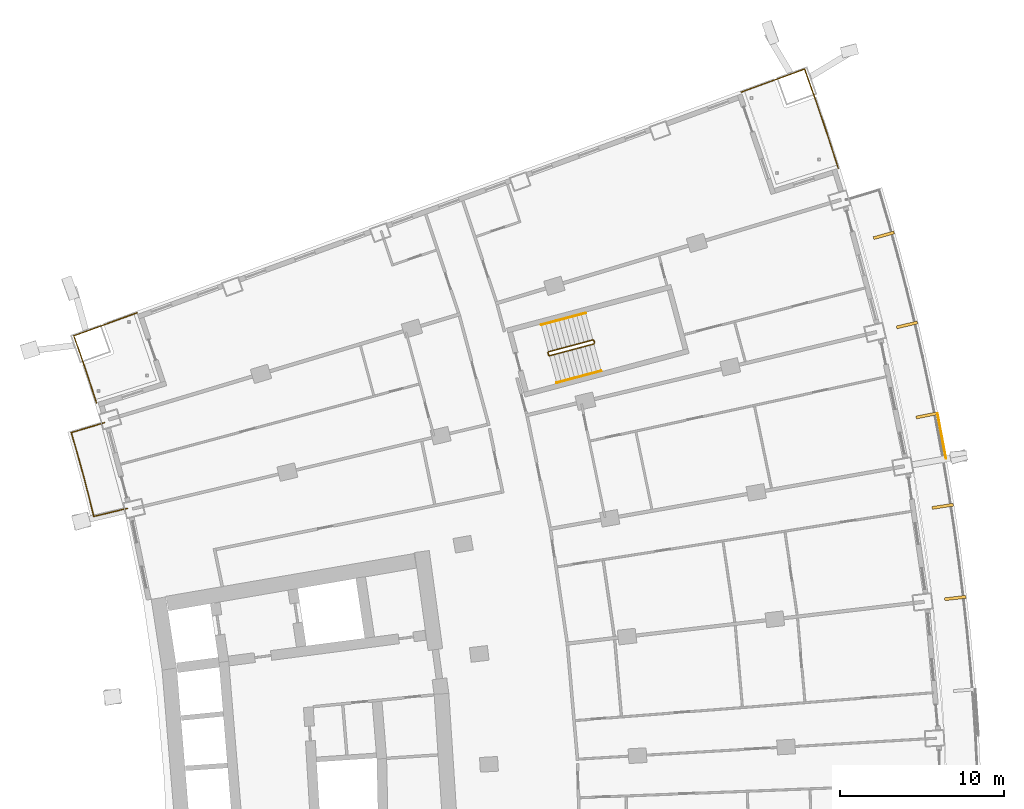
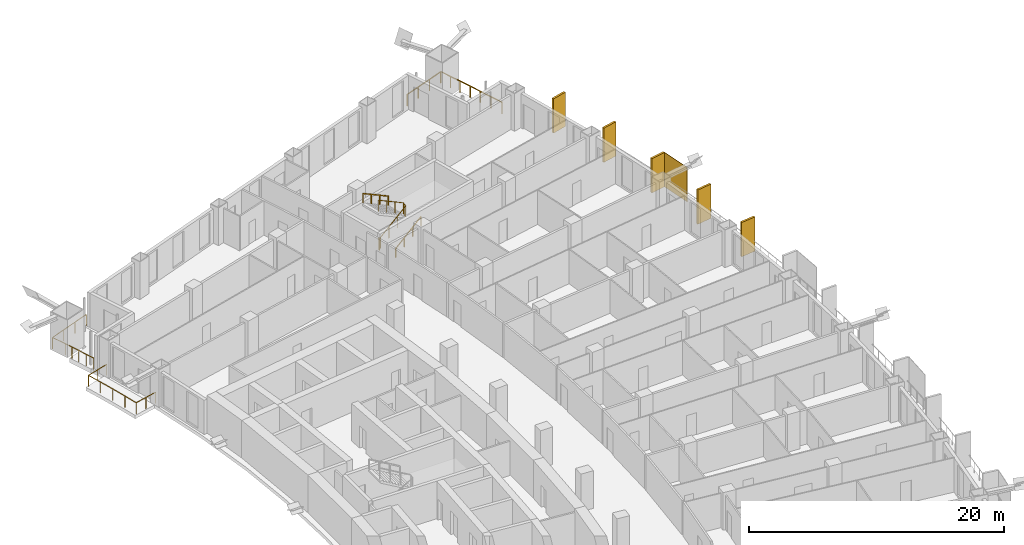
# One storey, part 22 of 22: 6 railings, 6 shading devices.
"""IFC4 building model written with IfcOpenShell, lengths in metres."""

from ifc_helpers import new_model, si_unit, direction, frame, origin, origin_2d, place, context, subcontext, project, spatial, rectangle, extrude, material, layer, layer_set, type_object, element, save


model = new_model("IFC4")

# Units and contexts
model_context = context("Model", 3, precision=1e-05, world=origin(), true_north=direction((0.0, 1.0)))
body_context = subcontext(model_context, "Body", "Model", "MODEL_VIEW")
ifc_project = project(units=[si_unit("LENGTHUNIT", "METRE"), si_unit("AREAUNIT", "SQUARE_METRE"), si_unit("VOLUMEUNIT", "CUBIC_METRE"), si_unit("PLANEANGLEUNIT", "RADIAN"), si_unit("MASSUNIT", "GRAM", prefix="KILO")], contexts=[model_context])

# Site, building, storey
site_placement = place(None, origin())
site = spatial("IfcSite", under=ifc_project, at=site_placement, CompositionType="ELEMENT")
building_placement = place(site_placement, origin())
building = spatial("IfcBuilding", under=site, at=building_placement, Name="Alderwake Tower", CompositionType="ELEMENT")
storey_placement = place(building_placement, frame((0.0, 0.0, 50.0)))
storey = spatial("IfcBuildingStorey", under=building, at=storey_placement, Name="L11", CompositionType="ELEMENT", Elevation=50.0)

# Railings
ifc_material_1 = material(Name="Stainless steel 316 rail and posts", Category="steel")
railing_type_1 = type_object("IfcRailingType", Name="Balcony guard 1100", PredefinedType="GUARDRAIL", material=ifc_material_1)
railing_1_placement = place(storey_placement, frame((13.5693359375, 83.343017578125, 0.0)))
element("IfcRailing", 1, at=railing_1_placement, inside=storey, type_object=railing_type_1, Name="Guard BR11", PredefinedType="GUARDRAIL", context=body_context, shape_type="SweptSolid", body=[
    extrude(rectangle(XDim=0.048095703125, YDim=0.048095703125, at=origin_2d()), frame((0.0, 0.0, 1.076171875), z_axis=(-0.972646310656, -0.232291098337, 0.0), x_axis=(0.232291098337, -0.972646310656, 0.0)), (0.0, 0.0, 1.0), 2.099853515625),
    extrude(rectangle(XDim=0.048095703125, YDim=0.048095703125, at=origin_2d()), frame((-2.04248046875, -0.48779296875, 1.076171875), z_axis=(-0.238877101641, 0.971049808358, 0.0), x_axis=(-0.971049808358, -0.238877101641, 0.0)), (0.0, 0.0, 1.0), 1.2724609375),
    extrude(rectangle(XDim=0.048095703125, YDim=0.048095703125, at=origin_2d()), frame((-2.346435546875, 0.747802734375, 1.076171875), z_axis=(-0.252487086228, 0.967600264204, 0.0), x_axis=(-0.967600264204, -0.252487086228, 0.0)), (0.0, 0.0, 1.0), 1.3720703125),
    extrude(rectangle(XDim=0.048095703125, YDim=0.048095703125, at=origin_2d()), frame((-2.69287109375, 2.075439453125, 1.076171875), z_axis=(-0.266487604617, 0.963838345671, 0.0), x_axis=(-0.963838345671, -0.266487604617, 0.0)), (0.0, 0.0, 1.0), 1.372314453125),
    extrude(rectangle(XDim=0.048095703125, YDim=0.048095703125, at=origin_2d()), frame((-3.05859375, 3.398193359375, 1.076171875), z_axis=(-0.279963157487, 0.960010744966, 0.0), x_axis=(-0.960010744966, -0.279963157487, 0.0)), (0.0, 0.0, 1.0), 1.272216796875),
    extrude(rectangle(XDim=0.048095703125, YDim=0.048095703125, at=origin_2d()), frame((-3.414794921875, 4.61962890625, 1.076171875), z_axis=(0.958091458885, 0.286462486918, 0.0), x_axis=(-0.286462486918, 0.958091458885, 0.0)), (0.0, 0.0, 1.0), 2.099853515625),
    extrude(rectangle(XDim=0.0419921875, YDim=0.0419921875, at=origin_2d()), frame((0.0, 0.0, 0.0), z_axis=(0.0, 0.0, 1.0), x_axis=(-0.972646310656, -0.232291098337, 0.0)), (0.0, 0.0, 1.0), 1.052001953125),
    extrude(rectangle(XDim=0.0419921875, YDim=0.0419921875, at=origin_2d()), frame((-1.021240234375, -0.243896484375, 0.0), z_axis=(0.0, 0.0, 1.0), x_axis=(-0.972646310656, -0.232291098337, 0.0)), (0.0, 0.0, 1.0), 1.052001953125),
    extrude(rectangle(XDim=0.0419921875, YDim=0.0419921875, at=origin_2d()), frame((-2.04248046875, -0.48779296875, 0.0), z_axis=(0.0, 0.0, 1.0), x_axis=(-0.238877101641, 0.971049808358, 0.0)), (0.0, 0.0, 1.0), 1.052001953125),
    extrude(rectangle(XDim=0.0419921875, YDim=0.0419921875, at=origin_2d()), frame((-2.346435546875, 0.747802734375, 0.0), z_axis=(0.0, 0.0, 1.0), x_axis=(-0.252487086228, 0.967600264204, 0.0)), (0.0, 0.0, 1.0), 1.052001953125),
    extrude(rectangle(XDim=0.0419921875, YDim=0.0419921875, at=origin_2d()), frame((-2.69287109375, 2.075439453125, 0.0), z_axis=(0.0, 0.0, 1.0), x_axis=(-0.266487604617, 0.963838345671, 0.0)), (0.0, 0.0, 1.0), 1.052001953125),
    extrude(rectangle(XDim=0.0419921875, YDim=0.0419921875, at=origin_2d()), frame((-3.05859375, 3.398193359375, 0.0), z_axis=(0.0, 0.0, 1.0), x_axis=(-0.279963157487, 0.960010744966, 0.0)), (0.0, 0.0, 1.0), 1.052001953125),
    extrude(rectangle(XDim=0.0419921875, YDim=0.0419921875, at=origin_2d()), frame((-3.414794921875, 4.61962890625, 0.0), z_axis=(0.0, 0.0, 1.0), x_axis=(0.958091458885, 0.286462486918, 0.0)), (0.0, 0.0, 1.0), 1.052001953125),
    extrude(rectangle(XDim=0.0419921875, YDim=0.0419921875, at=origin_2d()), frame((-2.40869140625, 4.92041015625, 0.0), z_axis=(0.0, 0.0, 1.0), x_axis=(0.958091458885, 0.286462486918, 0.0)), (0.0, 0.0, 1.0), 1.052001953125),
    extrude(rectangle(XDim=0.0419921875, YDim=0.0419921875, at=origin_2d()), frame((-1.40283203125, 5.22119140625, 0.0), z_axis=(0.0, 0.0, 1.0), x_axis=(0.958091458885, 0.286462486918, 0.0)), (0.0, 0.0, 1.0), 1.052001953125),
])
railing_2_placement = place(storey_placement, frame((56.88330078125, 104.072509765625, 0.0)))
element("IfcRailing", 2, at=railing_2_placement, inside=storey, type_object=railing_type_1, Name="Guard terrace FN", PredefinedType="GUARDRAIL", context=body_context, shape_type="SweptSolid", body=[
    extrude(rectangle(XDim=0.048095703125, YDim=0.048095703125, at=origin_2d()), frame((0.0, 0.0, 1.076171875), z_axis=(-0.307845801485, 0.951436262977, 0.0), x_axis=(-0.951436262977, -0.307845801485, 0.0)), (0.0, 0.0, 1.0), 2.292724609375),
    extrude(rectangle(XDim=0.048095703125, YDim=0.048095703125, at=origin_2d()), frame((-0.705810546875, 2.181396484375, 1.076171875), z_axis=(-0.322241552388, 0.946657478666, 0.0), x_axis=(-0.946657478666, -0.322241552388, 0.0)), (0.0, 0.0, 1.0), 2.092529296875),
    extrude(rectangle(XDim=0.048095703125, YDim=0.048095703125, at=origin_2d()), frame((-1.380126953125, 4.162353515625, 1.076171875), z_axis=(-0.335715388467, 0.941963469539, 0.0), x_axis=(-0.941963469539, -0.335715388467, 0.0)), (0.0, 0.0, 1.0), 1.99267578125),
    extrude(rectangle(XDim=0.048095703125, YDim=0.048095703125, at=origin_2d()), frame((-2.049072265625, 6.039306640625, 1.076171875), z_axis=(-0.939624669849, -0.342206779317, 0.0), x_axis=(0.342206779317, -0.939624669849, 0.0)), (0.0, 0.0, 1.0), 4.10009765625),
    extrude(rectangle(XDim=0.0419921875, YDim=0.0419921875, at=origin_2d()), frame((0.0, 0.0, 0.0), z_axis=(0.0, 0.0, 1.0), x_axis=(-0.307845801485, 0.951436262977, 0.0)), (0.0, 0.0, 1.0), 1.052001953125),
    extrude(rectangle(XDim=0.0419921875, YDim=0.0419921875, at=origin_2d()), frame((-0.35302734375, 1.0908203125, 0.0), z_axis=(0.0, 0.0, 1.0), x_axis=(-0.307845801485, 0.951436262977, 0.0)), (0.0, 0.0, 1.0), 1.052001953125),
    extrude(rectangle(XDim=0.0419921875, YDim=0.0419921875, at=origin_2d()), frame((-0.705810546875, 2.181396484375, 0.0), z_axis=(0.0, 0.0, 1.0), x_axis=(-0.322241552388, 0.946657478666, 0.0)), (0.0, 0.0, 1.0), 1.052001953125),
    extrude(rectangle(XDim=0.0419921875, YDim=0.0419921875, at=origin_2d()), frame((-1.04296875, 3.171875, 0.0), z_axis=(0.0, 0.0, 1.0), x_axis=(-0.322241552388, 0.946657478666, 0.0)), (0.0, 0.0, 1.0), 1.052001953125),
    extrude(rectangle(XDim=0.0419921875, YDim=0.0419921875, at=origin_2d()), frame((-1.380126953125, 4.162353515625, 0.0), z_axis=(0.0, 0.0, 1.0), x_axis=(-0.335715388467, 0.941963469539, 0.0)), (0.0, 0.0, 1.0), 1.052001953125),
    extrude(rectangle(XDim=0.0419921875, YDim=0.0419921875, at=origin_2d()), frame((-1.714599609375, 5.100830078125, 0.0), z_axis=(0.0, 0.0, 1.0), x_axis=(-0.335715388467, 0.941963469539, 0.0)), (0.0, 0.0, 1.0), 1.052001953125),
    extrude(rectangle(XDim=0.0419921875, YDim=0.0419921875, at=origin_2d()), frame((-2.049072265625, 6.039306640625, 0.0), z_axis=(0.0, 0.0, 1.0), x_axis=(-0.939624669849, -0.342206779317, 0.0)), (0.0, 0.0, 1.0), 1.052001953125),
    extrude(rectangle(XDim=0.0419921875, YDim=0.0419921875, at=origin_2d()), frame((-3.333251953125, 5.571533203125, 0.0), z_axis=(0.0, 0.0, 1.0), x_axis=(-0.939624669849, -0.342206779317, 0.0)), (0.0, 0.0, 1.0), 1.052001953125),
    extrude(rectangle(XDim=0.0419921875, YDim=0.0419921875, at=origin_2d()), frame((-4.617431640625, 5.10400390625, 0.0), z_axis=(0.0, 0.0, 1.0), x_axis=(-0.939624669849, -0.342206779317, 0.0)), (0.0, 0.0, 1.0), 1.052001953125),
    extrude(rectangle(XDim=0.0419921875, YDim=0.0419921875, at=origin_2d()), frame((-5.901611328125, 4.63623046875, 0.0), z_axis=(0.0, 0.0, 1.0), x_axis=(-0.939624669849, -0.342206779317, 0.0)), (0.0, 0.0, 1.0), 1.052001953125),
])
railing_3_placement = place(storey_placement, frame((11.688720703125, 89.781982421875, 0.0)))
element("IfcRailing", 3, at=railing_3_placement, inside=storey, type_object=railing_type_1, Name="Guard terrace RN", PredefinedType="GUARDRAIL", context=body_context, shape_type="SweptSolid", body=[
    extrude(rectangle(XDim=0.048095703125, YDim=0.048095703125, at=origin_2d()), frame((0.0, 0.0, 1.076171875), z_axis=(-0.307479326145, 0.951554761426, 0.0), x_axis=(-0.951554761426, -0.307479326145, 0.0)), (0.0, 0.0, 1.0), 1.6015625),
    extrude(rectangle(XDim=0.048095703125, YDim=0.048095703125, at=origin_2d()), frame((-0.492431640625, 1.52392578125, 1.076171875), z_axis=(-0.322283727344, 0.946643121292, 0.0), x_axis=(-0.946643121292, -0.322283727344, 0.0)), (0.0, 0.0, 1.0), 1.4013671875),
    extrude(rectangle(XDim=0.048095703125, YDim=0.048095703125, at=origin_2d()), frame((-0.944091796875, 2.8505859375, 1.076171875), z_axis=(-0.335468607403, 0.942051385778, 0.0), x_axis=(-0.942051385778, -0.335468607403, 0.0)), (0.0, 0.0, 1.0), 1.30126953125),
    extrude(rectangle(XDim=0.048095703125, YDim=0.048095703125, at=origin_2d()), frame((-1.380615234375, 4.076416015625, 1.076171875), z_axis=(0.939708203232, 0.341977327873, 0.0), x_axis=(-0.341977327873, 0.939708203232, 0.0)), (0.0, 0.0, 1.0), 4.10009765625),
    extrude(rectangle(XDim=0.0419921875, YDim=0.0419921875, at=origin_2d()), frame((0.0, 0.0, 0.0), z_axis=(0.0, 0.0, 1.0), x_axis=(-0.307479326145, 0.951554761426, 0.0)), (0.0, 0.0, 1.0), 1.052001953125),
    extrude(rectangle(XDim=0.0419921875, YDim=0.0419921875, at=origin_2d()), frame((-0.24609375, 0.761962890625, 0.0), z_axis=(0.0, 0.0, 1.0), x_axis=(-0.307479326145, 0.951554761426, 0.0)), (0.0, 0.0, 1.0), 1.052001953125),
    extrude(rectangle(XDim=0.0419921875, YDim=0.0419921875, at=origin_2d()), frame((-0.492431640625, 1.52392578125, 0.0), z_axis=(0.0, 0.0, 1.0), x_axis=(-0.322283727344, 0.946643121292, 0.0)), (0.0, 0.0, 1.0), 1.052001953125),
    extrude(rectangle(XDim=0.0419921875, YDim=0.0419921875, at=origin_2d()), frame((-0.71826171875, 2.187255859375, 0.0), z_axis=(0.0, 0.0, 1.0), x_axis=(-0.322283727344, 0.946643121292, 0.0)), (0.0, 0.0, 1.0), 1.052001953125),
    extrude(rectangle(XDim=0.0419921875, YDim=0.0419921875, at=origin_2d()), frame((-0.944091796875, 2.8505859375, 0.0), z_axis=(0.0, 0.0, 1.0), x_axis=(-0.335468607403, 0.942051385778, 0.0)), (0.0, 0.0, 1.0), 1.052001953125),
    extrude(rectangle(XDim=0.0419921875, YDim=0.0419921875, at=origin_2d()), frame((-1.380615234375, 4.076416015625, 0.0), z_axis=(0.0, 0.0, 1.0), x_axis=(0.939708203232, 0.341977327873, 0.0)), (0.0, 0.0, 1.0), 1.052001953125),
    extrude(rectangle(XDim=0.0419921875, YDim=0.0419921875, at=origin_2d()), frame((-0.096435546875, 4.543701171875, 0.0), z_axis=(0.0, 0.0, 1.0), x_axis=(0.939708203232, 0.341977327873, 0.0)), (0.0, 0.0, 1.0), 1.052001953125),
    extrude(rectangle(XDim=0.0419921875, YDim=0.0419921875, at=origin_2d()), frame((1.18798828125, 5.01123046875, 0.0), z_axis=(0.0, 0.0, 1.0), x_axis=(0.939708203232, 0.341977327873, 0.0)), (0.0, 0.0, 1.0), 1.052001953125),
    extrude(rectangle(XDim=0.0419921875, YDim=0.0419921875, at=origin_2d()), frame((2.47216796875, 5.478515625, 0.0), z_axis=(0.0, 0.0, 1.0), x_axis=(0.939708203232, 0.341977327873, 0.0)), (0.0, 0.0, 1.0), 1.052001953125),
])

# Shading devices
ifc_material_2 = material(Name="Bronze anodised aluminium", Category="aluminium")
ifc_layer_1 = layer(ifc_material_2, 0.179931640625)
ifc_layer_set_1 = layer_set([ifc_layer_1], Name="Facade fin 1300")
shading_device_type_1 = type_object("IfcShadingDeviceType", Name="Facade fin 1300", PredefinedType="USERDEFINED", material=ifc_layer_set_1)
for number, where, z_axis, x_axis, name in (
    (4, (64.013916015625, 77.883056640625, 0.0), (0.0, 0.0, 1.0), (0.993198315083, 0.116434990084, 0.0), "Fin"),
    (5, (63.248291015625, 83.47119140625, 0.0), (0.0, 0.0, 1.0), (0.987918787879, 0.154972476771, 0.0), "Fin"),
    (6, (62.268798828125, 89.0107421875, 0.0), (0.0, 0.0, 1.0), (0.981163751315, 0.193177879441, 0.0), "Fin"),
    (7, (61.07177734375, 94.5224609375, 0.0), (0.0, 0.0, 1.0), (0.972908790564, 0.231189284448, 0.0), "Fin"),
    (8, (59.661376953125, 99.9833984375, 0.0), (0.0, 0.0, 1.0), (0.96318180783, 0.268850897459, 0.0), "Fin"),
):
    element("IfcShadingDevice", number, at=place(storey_placement, frame(where, z_axis=z_axis, x_axis=x_axis)), inside=storey, type_object=shading_device_type_1, Name=name, ObjectType="FIN", PredefinedType="USERDEFINED", context=body_context, shape_type="SweptSolid", body=[
        extrude(rectangle(XDim=1.300048828125, YDim=0.179931640625, at=origin_2d()), origin(), (0.0, 0.0, 1.0), 3.280029296875),
    ])
ifc_material_3 = material(Name="Perforated bronze anodised aluminium", Category="aluminium")
ifc_layer_2 = layer(ifc_material_3, 0.050048828125)
ifc_layer_set_2 = layer_set([ifc_layer_2], Name="Perforated screen panel")
shading_device_type_2 = type_object("IfcShadingDeviceType", Name="Perforated screen panel", PredefinedType="USERDEFINED", material=ifc_layer_set_2)
shading_device_placement = place(storey_placement, frame((63.1904296875, 87.752197265625, 0.0), z_axis=(0.0, 0.0, 1.0), x_axis=(0.982991488043, 0.183651121519, 0.0)))
element("IfcShadingDevice", 9, at=shading_device_placement, inside=storey, type_object=shading_device_type_2, Name="Screen panel", ObjectType="SCREEN", PredefinedType="USERDEFINED", context=body_context, shape_type="SweptSolid", body=[
    extrude(rectangle(XDim=0.050048828125, YDim=2.826171875, at=origin_2d()), origin(), (0.0, 0.0, 1.0), 3.280029296875),
])

# Railings
ifc_material_4 = material(Name="Stainless steel guard", Category="steel")
railing_type_2 = type_object("IfcRailingType", Name="Stair guard 1100", PredefinedType="GUARDRAIL", material=ifc_material_4)
railing_4_placement = place(storey_placement, frame((39.23291015625, 92.6806640625, 0.0)))
element("IfcRailing", 10, at=railing_4_placement, inside=storey, type_object=railing_type_2, Name="L11 ST-A stair guard 1", PredefinedType="GUARDRAIL", context=body_context, shape_type="SweptSolid", body=[
    extrude(rectangle(XDim=0.048095703125, YDim=0.048095703125, at=origin_2d()), frame((0.0, 0.0, 1.076171875), z_axis=(-0.257055032184, 0.966396766566, 0.0), x_axis=(-0.966396766566, -0.257055032184, 0.0)), (0.0, 0.0, 1.0), 0.150146484375),
    extrude(rectangle(XDim=0.048095703125, YDim=0.048095703125, at=origin_2d()), frame((-0.03857421875, 0.14501953125, 1.076171875), z_axis=(0.379370725808, -0.685464465458, 0.621463047167), x_axis=(0.874937996095, 0.484234966715, 0.0)), (0.0, 0.0, 1.0), 0.26318359375),
    extrude(rectangle(XDim=0.048095703125, YDim=0.048095703125, at=origin_2d()), frame((0.061279296875, -0.035400390625, 1.23974609375), z_axis=(0.834258940753, 0.22222815314, 0.504605457487), x_axis=(-0.257402139082, 0.966304371715, 0.0)), (0.0, 0.0, 1.0), 3.2431640625),
    extrude(rectangle(XDim=0.048095703125, YDim=0.048095703125, at=origin_2d()), frame((2.766845703125, 0.685302734375, 2.8759765625), z_axis=(0.500220121494, 0.865898279276, 0.0), x_axis=(-0.865898279276, 0.500220121494, 0.0)), (0.0, 0.0, 1.0), 0.07080078125),
    extrude(rectangle(XDim=0.048095703125, YDim=0.048095703125, at=origin_2d()), frame((2.80224609375, 0.74658203125, 2.8759765625), z_axis=(-0.257459803502, 0.966289009345, 0.0), x_axis=(-0.966289009345, -0.257459803502, 0.0)), (0.0, 0.0, 1.0), 0.14990234375),
    extrude(rectangle(XDim=0.048095703125, YDim=0.048095703125, at=origin_2d()), frame((2.763671875, 0.891357421875, 2.8759765625), z_axis=(-0.34252489212, 0.200034536998, 0.917966710881), x_axis=(-0.504300490226, -0.863528236688, 0.0)), (0.0, 0.0, 1.0), 0.17822265625),
    extrude(rectangle(XDim=0.048095703125, YDim=0.048095703125, at=origin_2d()), frame((2.70263671875, 0.927001953125, 3.03955078125), z_axis=(-0.834281824786, -0.222214197128, 0.504573768072), x_axis=(0.257380452725, -0.966310148221, 0.0)), (0.0, 0.0, 1.0), 3.2431640625),
    extrude(rectangle(XDim=0.0419921875, YDim=0.0419921875, at=origin_2d()), frame((0.0, 0.0, 0.0), z_axis=(0.0, 0.0, 1.0), x_axis=(-0.257055032184, 0.966396766566, 0.0)), (0.0, 0.0, 1.0), 1.052001953125),
    extrude(rectangle(XDim=0.0419921875, YDim=0.0419921875, at=origin_2d()), frame((-0.03857421875, 0.14501953125, 0.0), z_axis=(0.0, 0.0, 1.0), x_axis=(0.484234966715, -0.874937996095, 0.0)), (0.0, 0.0, 1.0), 1.052001953125),
    extrude(rectangle(XDim=0.0419921875, YDim=0.0419921875, at=origin_2d()), frame((0.061279296875, -0.035400390625, 0.16357421875), z_axis=(0.0, 0.0, 1.0), x_axis=(0.966304371715, 0.257402139082, 0.0)), (0.0, 0.0, 1.0), 1.052001953125),
    extrude(rectangle(XDim=0.0419921875, YDim=0.0419921875, at=origin_2d()), frame((0.963134765625, 0.204833984375, 0.708984375), z_axis=(0.0, 0.0, 1.0), x_axis=(0.966304371715, 0.257402139082, 0.0)), (0.0, 0.0, 1.0), 1.052001953125),
    extrude(rectangle(XDim=0.0419921875, YDim=0.0419921875, at=origin_2d()), frame((1.864990234375, 0.445068359375, 1.254638671875), z_axis=(0.0, 0.0, 1.0), x_axis=(0.966304371715, 0.257402139082, 0.0)), (0.0, 0.0, 1.0), 1.052001953125),
    extrude(rectangle(XDim=0.0419921875, YDim=0.0419921875, at=origin_2d()), frame((2.766845703125, 0.685302734375, 1.800048828125), z_axis=(0.0, 0.0, 1.0), x_axis=(0.500220121494, 0.865898279276, 0.0)), (0.0, 0.0, 1.0), 1.052001953125),
    extrude(rectangle(XDim=0.0419921875, YDim=0.0419921875, at=origin_2d()), frame((2.80224609375, 0.74658203125, 1.800048828125), z_axis=(0.0, 0.0, 1.0), x_axis=(-0.257459803502, 0.966289009345, 0.0)), (0.0, 0.0, 1.0), 1.052001953125),
    extrude(rectangle(XDim=0.0419921875, YDim=0.0419921875, at=origin_2d()), frame((2.763671875, 0.891357421875, 1.800048828125), z_axis=(0.0, 0.0, 1.0), x_axis=(-0.863528236688, 0.504300490226, 0.0)), (0.0, 0.0, 1.0), 1.052001953125),
    extrude(rectangle(XDim=0.0419921875, YDim=0.0419921875, at=origin_2d()), frame((2.70263671875, 0.927001953125, 1.963623046875), z_axis=(0.0, 0.0, 1.0), x_axis=(-0.966310148221, -0.257380452725, 0.0)), (0.0, 0.0, 1.0), 1.052001953125),
    extrude(rectangle(XDim=0.0419921875, YDim=0.0419921875, at=origin_2d()), frame((1.80078125, 0.686767578125, 2.509033203125), z_axis=(0.0, 0.0, 1.0), x_axis=(-0.966310148221, -0.257380452725, 0.0)), (0.0, 0.0, 1.0), 1.052001953125),
    extrude(rectangle(XDim=0.0419921875, YDim=0.0419921875, at=origin_2d()), frame((0.898681640625, 0.446533203125, 3.0546875), z_axis=(0.0, 0.0, 1.0), x_axis=(-0.966310148221, -0.257380452725, 0.0)), (0.0, 0.0, 1.0), 1.052001953125),
    extrude(rectangle(XDim=0.0419921875, YDim=0.0419921875, at=origin_2d()), frame((-0.003173828125, 0.206298828125, 3.60009765625), z_axis=(0.0, 0.0, 1.0), x_axis=(-0.966310148221, -0.257380452725, 0.0)), (0.0, 0.0, 1.0), 1.052001953125),
])
ifc_material_5 = material(Name="Stainless steel handrail", Category="steel")
railing_type_3 = type_object("IfcRailingType", Name="Stair handrail 900", PredefinedType="HANDRAIL", material=ifc_material_5)
railing_5_placement = place(storey_placement, frame((39.731689453125, 91.002685546875, 0.16357421875)))
element("IfcRailing", 11, at=railing_5_placement, inside=storey, type_object=railing_type_3, Name="L11 ST-A stair handrail 1", PredefinedType="HANDRAIL", context=body_context, shape_type="SweptSolid", body=[
    extrude(rectangle(XDim=0.048095703125, YDim=0.048095703125, at=origin_2d()), frame((0.0, 0.0, 0.8759765625), z_axis=(0.834258940753, 0.22222815314, 0.504605457487), x_axis=(-0.257402139082, 0.966304371715, 0.0)), (0.0, 0.0, 1.0), 3.2431640625),
    extrude(rectangle(XDim=0.0419921875, YDim=0.0419921875, at=origin_2d()), frame((0.0, 0.0, 0.0), z_axis=(0.0, 0.0, 1.0), x_axis=(0.966304371715, 0.257402139082, 0.0)), (0.0, 0.0, 1.0), 0.851806640625),
    extrude(rectangle(XDim=0.0419921875, YDim=0.0419921875, at=origin_2d()), frame((0.90185546875, 0.240234375, 0.54541015625), z_axis=(0.0, 0.0, 1.0), x_axis=(0.966304371715, 0.257402139082, 0.0)), (0.0, 0.0, 1.0), 0.851806640625),
    extrude(rectangle(XDim=0.0419921875, YDim=0.0419921875, at=origin_2d()), frame((1.8037109375, 0.48046875, 1.091064453125), z_axis=(0.0, 0.0, 1.0), x_axis=(0.966304371715, 0.257402139082, 0.0)), (0.0, 0.0, 1.0), 0.851806640625),
    extrude(rectangle(XDim=0.0419921875, YDim=0.0419921875, at=origin_2d()), frame((2.70556640625, 0.720703125, 1.636474609375), z_axis=(0.0, 0.0, 1.0), x_axis=(0.966304371715, 0.257402139082, 0.0)), (0.0, 0.0, 1.0), 0.851806640625),
])
railing_6_placement = place(storey_placement, frame((41.497802734375, 95.250244140625, 1.963623046875)))
element("IfcRailing", 12, at=railing_6_placement, inside=storey, type_object=railing_type_3, Name="L11 ST-A stair handrail 2", PredefinedType="HANDRAIL", context=body_context, shape_type="SweptSolid", body=[
    extrude(rectangle(XDim=0.048095703125, YDim=0.048095703125, at=origin_2d()), frame((0.0, 0.0, 0.8759765625), z_axis=(-0.834258940753, -0.22222815314, 0.504605457487), x_axis=(0.257402139082, -0.966304371715, 0.0)), (0.0, 0.0, 1.0), 3.2431640625),
    extrude(rectangle(XDim=0.0419921875, YDim=0.0419921875, at=origin_2d()), frame((0.0, 0.0, 0.0), z_axis=(0.0, 0.0, 1.0), x_axis=(-0.966304371715, -0.257402139082, 0.0)), (0.0, 0.0, 1.0), 0.851806640625),
    extrude(rectangle(XDim=0.0419921875, YDim=0.0419921875, at=origin_2d()), frame((-0.90185546875, -0.240234375, 0.54541015625), z_axis=(0.0, 0.0, 1.0), x_axis=(-0.966304371715, -0.257402139082, 0.0)), (0.0, 0.0, 1.0), 0.851806640625),
    extrude(rectangle(XDim=0.0419921875, YDim=0.0419921875, at=origin_2d()), frame((-1.8037109375, -0.48046875, 1.091064453125), z_axis=(0.0, 0.0, 1.0), x_axis=(-0.966304371715, -0.257402139082, 0.0)), (0.0, 0.0, 1.0), 0.851806640625),
    extrude(rectangle(XDim=0.0419921875, YDim=0.0419921875, at=origin_2d()), frame((-2.70556640625, -0.720703125, 1.636474609375), z_axis=(0.0, 0.0, 1.0), x_axis=(-0.966304371715, -0.257402139082, 0.0)), (0.0, 0.0, 1.0), 0.851806640625),
])

save(model, "model.ifc")
